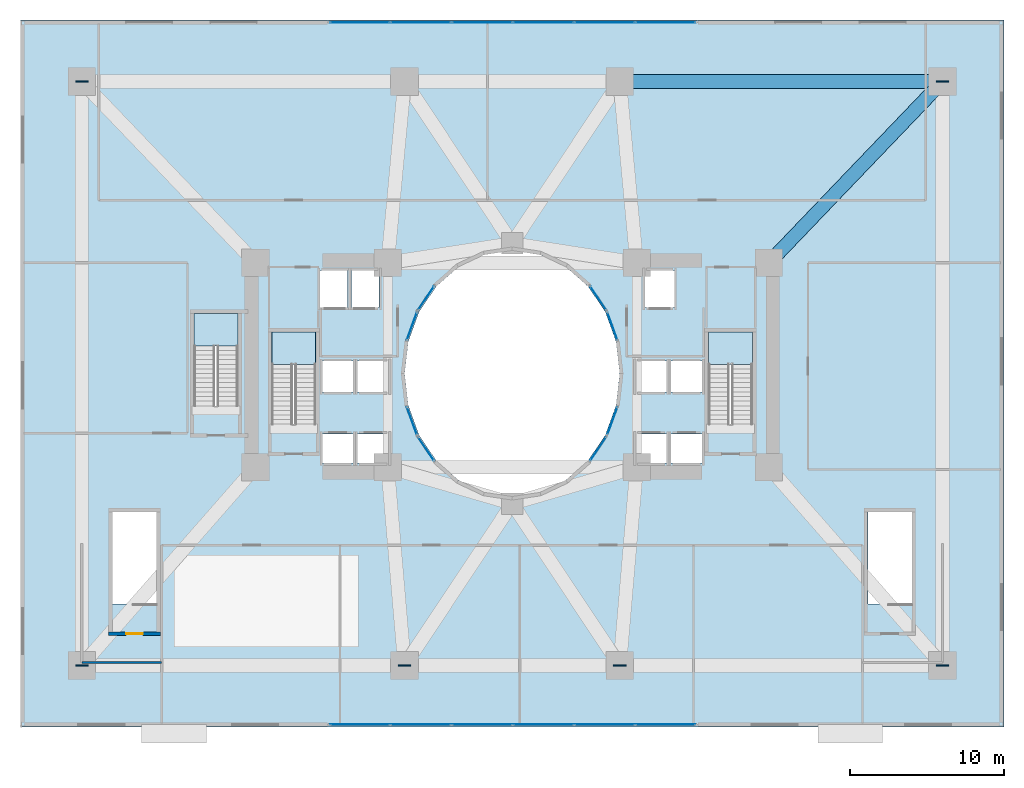
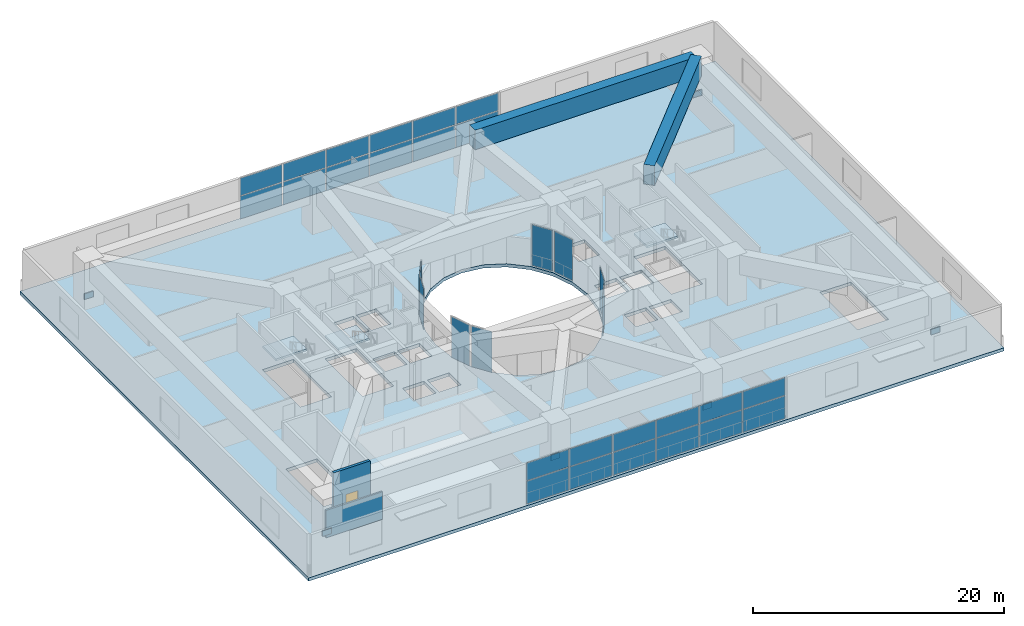
# One storey, part 17 of 27: 38 plates, 4 slabs, 2 beams, 2 walls, 1 door, 1 opening, 13 elements without a shape of their own.
"""IFC4 building model written with IfcOpenShell, lengths in metres."""

from ifc_helpers import new_model, si_unit, direction, frame, frame_2d, origin, origin_2d, place, context, subcontext, project, spatial, polyline, rectangle, outline, extrude, material, layer, layer_set, material_profile, profile_set, type_object, element, fill, aggregate, save


model = new_model("IFC4")

# Units and contexts
model_context = context("Model", 3, precision=1e-05, world=origin(), true_north=direction((0.0, 1.0)))
body_context = subcontext(model_context, "Body", "Model", "MODEL_VIEW")
ifc_project = project(units=[si_unit("LENGTHUNIT", "METRE"), si_unit("AREAUNIT", "SQUARE_METRE"), si_unit("VOLUMEUNIT", "CUBIC_METRE"), si_unit("PLANEANGLEUNIT", "RADIAN"), si_unit("MASSUNIT", "GRAM", prefix="KILO")], contexts=[model_context])

# Site, building, storey
site_placement = place(None, origin())
site = spatial("IfcSite", under=ifc_project, at=site_placement, CompositionType="ELEMENT")
building_placement = place(site_placement, origin())
building = spatial("IfcBuilding", under=site, at=building_placement, Name="Solvane Sanctuary Tower", CompositionType="ELEMENT")
storey_placement = place(building_placement, frame((0.0, 0.0, 23.0)))
storey = spatial("IfcBuildingStorey", under=building, at=storey_placement, Name="L06", CompositionType="ELEMENT", Elevation=23.0)

# Beams
ifc_material_1 = material(Name="Concrete C60/75", Category="concrete")
ifc_material_profile = material_profile(ifc_material_1, rectangle(XDim=0.89990234375, YDim=1.89990234375, at=origin_2d()), Name="RC900X1900")
ifc_profile_set = profile_set([ifc_material_profile], Name="Concrete C60/75")
beam_type = type_object("IfcBeamType", Name="Beam B-XFER-POD RC900X1900", PredefinedType="BEAM", material=ifc_profile_set)
beam_1_placement = place(storey_placement, frame((59.699951171875, 42.0, 3.64990234375), z_axis=(-1.0, 0.0, 0.0), x_axis=(0.0, -1.0, 0.0)))
element("IfcBeam", 1, at=beam_1_placement, inside=storey, type_object=beam_type, Name="L06 Podium Transfer Girder XP05", PredefinedType="BEAM", context=body_context, shape_type="SweptSolid", body=[
    extrude(rectangle(XDim=0.89990234375, YDim=1.89990234375, at=origin_2d()), origin(), (0.0, 0.0, 1.0), 20.39990234375),
])
beam_2_placement = place(storey_placement, frame((59.79248046875, 41.783203125, 3.64990234375), z_axis=(-0.69164554297, -0.722237109881, 0.0), x_axis=(0.722237109881, -0.69164554297, 0.0)))
element("IfcBeam", 2, at=beam_2_placement, inside=storey, type_object=beam_type, Name="L06 Podium Transfer Girder XP20", PredefinedType="BEAM", context=body_context, shape_type="SweptSolid", body=[
    extrude(rectangle(XDim=0.89990234375, YDim=1.89990234375, at=origin_2d()), origin(), (0.0, 0.0, 1.0), 15.73779296875),
])

# Plates
ifc_material_2 = material(Name="Steel ASTM A572 Grade 50", Category="steel")
ifc_layer_1 = layer(ifc_material_2, 0.080078125, Name="Steel ASTM A572 Grade 50")
ifc_layer_set_1 = layer_set([ifc_layer_1], Name="Steel ASTM A572 Grade 50")
plate_type_1 = type_object("IfcPlateType", Name="Plate PL-GUSSET-A", PredefinedType="USERDEFINED", material=ifc_layer_set_1)
for number, where, z_axis, x_axis, name in (
    (3, (4.0, 4.0, 0.375), (0.0, 0.0, 1.0), (1.0, 0.0, 0.0), "L06 Podium Mega-Node Gusset Plate 01"),
    (4, (25.0, 4.0, 0.375), (0.0, 0.0, 1.0), (1.0, 0.0, 0.0), "L06 Podium Mega-Node Gusset Plate 02"),
    (5, (39.0, 4.0, 0.375), (0.0, 0.0, 1.0), (1.0, 0.0, 0.0), "L06 Podium Mega-Node Gusset Plate 03"),
    (6, (60.0, 4.0, 0.375), (0.0, 0.0, 1.0), (1.0, 0.0, 0.0), "L06 Podium Mega-Node Gusset Plate 04"),
    (7, (4.0, 42.0, 0.375), (0.0, 0.0, 1.0), (1.0, 0.0, 0.0), "L06 Podium Mega-Node Gusset Plate 05"),
    (8, (60.0, 42.0, 0.375), (0.0, 0.0, 1.0), (1.0, 0.0, 0.0), "L06 Podium Mega-Node Gusset Plate 06"),
):
    element("IfcPlate", number, at=place(storey_placement, frame(where, z_axis=z_axis, x_axis=x_axis)), inside=storey, type_object=plate_type_1, Name=name, ObjectType="GUSSET PLATE", PredefinedType="USERDEFINED", context=body_context, shape_type="SweptSolid", body=[
        extrude(rectangle(XDim=0.820068359375, YDim=0.080078125, at=origin_2d()), origin(), (0.0, 0.0, 1.0), 0.550048828125),
    ])

# Curtain wall, plates
ifc_material_3 = material(Name="Anodised Aluminium 6063-T6", Category="aluminium")
ifc_layer_2 = layer(ifc_material_3, 0.159912109375, Name="Anodised Aluminium 6063-T6")
ifc_layer_set_2 = layer_set([ifc_layer_2], Name="Anodised Aluminium 6063-T6")
curtain_wall_type_1 = type_object("IfcCurtainWallType", Name="Curtain Wall CW-POD", PredefinedType="NOTDEFINED", material=ifc_layer_set_2)
curtain_wall_1_placement = place(storey_placement, origin())
curtain_wall_1 = element("IfcCurtainWall", 9, at=curtain_wall_1_placement, inside=storey, type_object=curtain_wall_type_1, Name="L06 Sanctuary Curtain Wall S2", PredefinedType="NOTDEFINED")
ifc_material_4 = material(Name="Dark Ceramic-Fritted Low-E Glass", Category="glass")
ifc_layer_3 = layer(ifc_material_4, 0.031982421875, Name="Dark Ceramic-Fritted Low-E Glass")
ifc_layer_set_3 = layer_set([ifc_layer_3], Name="Dark Ceramic-Fritted Low-E Glass")
plate_type_2 = type_object("IfcPlateType", Name="Plate PN-FRIT-VIS", PredefinedType="CURTAIN_PANEL", material=ifc_layer_set_3)
plate_1_placement = place(storey_placement, frame((22.092041015625, 0.14990234375, 0.06494140625), z_axis=(0.0, 0.0, 1.0), x_axis=(1.0, 0.0, 0.0)))
plate_1 = element("IfcPlate", 10, at=plate_1_placement, type_object=plate_type_2, Name="CW-POD panel 1.1", PredefinedType="CURTAIN_PANEL", context=body_context, shape_type="SweptSolid", body=[
    extrude(rectangle(XDim=3.874267578125, YDim=0.031982421875, at=origin_2d()), origin(), (0.0, 0.0, 1.0), 2.202392578125),
])
plate_2_placement = place(storey_placement, frame((22.092041015625, 0.14990234375, 2.33251953125), z_axis=(0.0, 0.0, 1.0), x_axis=(1.0, 0.0, 0.0)))
plate_2 = element("IfcPlate", 11, at=plate_2_placement, type_object=plate_type_2, Name="CW-POD panel 1.2", PredefinedType="CURTAIN_PANEL", context=body_context, shape_type="SweptSolid", body=[
    extrude(rectangle(XDim=3.874267578125, YDim=0.031982421875, at=origin_2d()), origin(), (0.0, 0.0, 1.0), 1.702392578125),
])
plate_3_placement = place(storey_placement, frame((26.06005859375, 0.14990234375, 0.06494140625), z_axis=(0.0, 0.0, 1.0), x_axis=(1.0, 0.0, 0.0)))
plate_3 = element("IfcPlate", 12, at=plate_3_placement, type_object=plate_type_2, Name="CW-POD panel 2.1", PredefinedType="CURTAIN_PANEL", context=body_context, shape_type="SweptSolid", body=[
    extrude(rectangle(XDim=3.91162109375, YDim=0.031982421875, at=origin_2d()), origin(), (0.0, 0.0, 1.0), 2.202392578125),
])
plate_4_placement = place(storey_placement, frame((26.06005859375, 0.14990234375, 2.33251953125), z_axis=(0.0, 0.0, 1.0), x_axis=(1.0, 0.0, 0.0)))
plate_4 = element("IfcPlate", 13, at=plate_4_placement, type_object=plate_type_2, Name="CW-POD panel 2.2", PredefinedType="CURTAIN_PANEL", context=body_context, shape_type="SweptSolid", body=[
    extrude(rectangle(XDim=3.91162109375, YDim=0.031982421875, at=origin_2d()), origin(), (0.0, 0.0, 1.0), 1.702392578125),
])
plate_5_placement = place(storey_placement, frame((30.046630859375, 0.14990234375, 0.06494140625), z_axis=(0.0, 0.0, 1.0), x_axis=(1.0, 0.0, 0.0)))
plate_5 = element("IfcPlate", 14, at=plate_5_placement, type_object=plate_type_2, Name="CW-POD panel 3.1", PredefinedType="CURTAIN_PANEL", context=body_context, shape_type="SweptSolid", body=[
    extrude(rectangle(XDim=3.91162109375, YDim=0.031982421875, at=origin_2d()), origin(), (0.0, 0.0, 1.0), 2.202392578125),
])
plate_6_placement = place(storey_placement, frame((30.046630859375, 0.14990234375, 2.33251953125), z_axis=(0.0, 0.0, 1.0), x_axis=(1.0, 0.0, 0.0)))
plate_6 = element("IfcPlate", 15, at=plate_6_placement, type_object=plate_type_2, Name="CW-POD panel 3.2", PredefinedType="CURTAIN_PANEL", context=body_context, shape_type="SweptSolid", body=[
    extrude(rectangle(XDim=3.91162109375, YDim=0.031982421875, at=origin_2d()), origin(), (0.0, 0.0, 1.0), 1.702392578125),
])
plate_7_placement = place(storey_placement, frame((34.033447265625, 0.14990234375, 0.06494140625), z_axis=(0.0, 0.0, 1.0), x_axis=(1.0, 0.0, 0.0)))
plate_7 = element("IfcPlate", 16, at=plate_7_placement, type_object=plate_type_2, Name="CW-POD panel 4.1", PredefinedType="CURTAIN_PANEL", context=body_context, shape_type="SweptSolid", body=[
    extrude(rectangle(XDim=3.91162109375, YDim=0.031982421875, at=origin_2d()), origin(), (0.0, 0.0, 1.0), 2.202392578125),
])
plate_8_placement = place(storey_placement, frame((34.033447265625, 0.14990234375, 2.33251953125), z_axis=(0.0, 0.0, 1.0), x_axis=(1.0, 0.0, 0.0)))
plate_8 = element("IfcPlate", 17, at=plate_8_placement, type_object=plate_type_2, Name="CW-POD panel 4.2", PredefinedType="CURTAIN_PANEL", context=body_context, shape_type="SweptSolid", body=[
    extrude(rectangle(XDim=3.91162109375, YDim=0.031982421875, at=origin_2d()), origin(), (0.0, 0.0, 1.0), 1.702392578125),
])
plate_9_placement = place(storey_placement, frame((38.02001953125, 0.14990234375, 0.06494140625), z_axis=(0.0, 0.0, 1.0), x_axis=(1.0, 0.0, 0.0)))
plate_9 = element("IfcPlate", 18, at=plate_9_placement, type_object=plate_type_2, Name="CW-POD panel 5.1", PredefinedType="CURTAIN_PANEL", context=body_context, shape_type="SweptSolid", body=[
    extrude(rectangle(XDim=3.91162109375, YDim=0.031982421875, at=origin_2d()), origin(), (0.0, 0.0, 1.0), 2.202392578125),
])
plate_10_placement = place(storey_placement, frame((38.02001953125, 0.14990234375, 2.33251953125), z_axis=(0.0, 0.0, 1.0), x_axis=(1.0, 0.0, 0.0)))
plate_10 = element("IfcPlate", 19, at=plate_10_placement, type_object=plate_type_2, Name="CW-POD panel 5.2", PredefinedType="CURTAIN_PANEL", context=body_context, shape_type="SweptSolid", body=[
    extrude(rectangle(XDim=3.91162109375, YDim=0.031982421875, at=origin_2d()), origin(), (0.0, 0.0, 1.0), 1.702392578125),
])
plate_11_placement = place(storey_placement, frame((41.988037109375, 0.14990234375, 0.06494140625), z_axis=(0.0, 0.0, 1.0), x_axis=(1.0, 0.0, 0.0)))
plate_11 = element("IfcPlate", 20, at=plate_11_placement, type_object=plate_type_2, Name="CW-POD panel 6.1", PredefinedType="CURTAIN_PANEL", context=body_context, shape_type="SweptSolid", body=[
    extrude(rectangle(XDim=3.874267578125, YDim=0.031982421875, at=origin_2d()), origin(), (0.0, 0.0, 1.0), 2.202392578125),
])
plate_12_placement = place(storey_placement, frame((41.988037109375, 0.14990234375, 2.33251953125), z_axis=(0.0, 0.0, 1.0), x_axis=(1.0, 0.0, 0.0)))
plate_12 = element("IfcPlate", 21, at=plate_12_placement, type_object=plate_type_2, Name="CW-POD panel 6.2", PredefinedType="CURTAIN_PANEL", context=body_context, shape_type="SweptSolid", body=[
    extrude(rectangle(XDim=3.874267578125, YDim=0.031982421875, at=origin_2d()), origin(), (0.0, 0.0, 1.0), 1.702392578125),
])
aggregate(curtain_wall_1, [plate_1, plate_2, plate_3, plate_4, plate_5, plate_6, plate_7, plate_8, plate_9, plate_10, plate_11, plate_12])

curtain_wall_2_placement = place(storey_placement, origin())
curtain_wall_2 = element("IfcCurtainWall", 22, at=curtain_wall_2_placement, inside=storey, type_object=curtain_wall_type_1, Name="L06 Sanctuary Curtain Wall N2", PredefinedType="NOTDEFINED")
plate_13_placement = place(storey_placement, frame((41.988037109375, 45.85009765625, 0.06494140625), z_axis=(0.0, 0.0, 1.0), x_axis=(-1.0, 0.0, 0.0)))
plate_13 = element("IfcPlate", 23, at=plate_13_placement, type_object=plate_type_2, Name="CW-POD panel 1.1", PredefinedType="CURTAIN_PANEL", context=body_context, shape_type="SweptSolid", body=[
    extrude(rectangle(XDim=3.874267578125, YDim=0.031982421875, at=origin_2d()), origin(), (0.0, 0.0, 1.0), 2.202392578125),
])
plate_14_placement = place(storey_placement, frame((41.988037109375, 45.85009765625, 2.33251953125), z_axis=(0.0, 0.0, 1.0), x_axis=(-1.0, 0.0, 0.0)))
plate_14 = element("IfcPlate", 24, at=plate_14_placement, type_object=plate_type_2, Name="CW-POD panel 1.2", PredefinedType="CURTAIN_PANEL", context=body_context, shape_type="SweptSolid", body=[
    extrude(rectangle(XDim=3.874267578125, YDim=0.031982421875, at=origin_2d()), origin(), (0.0, 0.0, 1.0), 1.702392578125),
])
plate_15_placement = place(storey_placement, frame((38.02001953125, 45.85009765625, 0.06494140625), z_axis=(0.0, 0.0, 1.0), x_axis=(-1.0, 0.0, 0.0)))
plate_15 = element("IfcPlate", 25, at=plate_15_placement, type_object=plate_type_2, Name="CW-POD panel 2.1", PredefinedType="CURTAIN_PANEL", context=body_context, shape_type="SweptSolid", body=[
    extrude(rectangle(XDim=3.91162109375, YDim=0.031982421875, at=origin_2d()), origin(), (0.0, 0.0, 1.0), 2.202392578125),
])
plate_16_placement = place(storey_placement, frame((38.02001953125, 45.85009765625, 2.33251953125), z_axis=(0.0, 0.0, 1.0), x_axis=(-1.0, 0.0, 0.0)))
plate_16 = element("IfcPlate", 26, at=plate_16_placement, type_object=plate_type_2, Name="CW-POD panel 2.2", PredefinedType="CURTAIN_PANEL", context=body_context, shape_type="SweptSolid", body=[
    extrude(rectangle(XDim=3.91162109375, YDim=0.031982421875, at=origin_2d()), origin(), (0.0, 0.0, 1.0), 1.702392578125),
])
plate_17_placement = place(storey_placement, frame((34.033447265625, 45.85009765625, 0.06494140625), z_axis=(0.0, 0.0, 1.0), x_axis=(-1.0, 0.0, 0.0)))
plate_17 = element("IfcPlate", 27, at=plate_17_placement, type_object=plate_type_2, Name="CW-POD panel 3.1", PredefinedType="CURTAIN_PANEL", context=body_context, shape_type="SweptSolid", body=[
    extrude(rectangle(XDim=3.91162109375, YDim=0.031982421875, at=origin_2d()), origin(), (0.0, 0.0, 1.0), 2.202392578125),
])
plate_18_placement = place(storey_placement, frame((34.033447265625, 45.85009765625, 2.33251953125), z_axis=(0.0, 0.0, 1.0), x_axis=(-1.0, 0.0, 0.0)))
plate_18 = element("IfcPlate", 28, at=plate_18_placement, type_object=plate_type_2, Name="CW-POD panel 3.2", PredefinedType="CURTAIN_PANEL", context=body_context, shape_type="SweptSolid", body=[
    extrude(rectangle(XDim=3.91162109375, YDim=0.031982421875, at=origin_2d()), origin(), (0.0, 0.0, 1.0), 1.702392578125),
])
plate_19_placement = place(storey_placement, frame((30.046630859375, 45.85009765625, 0.06494140625), z_axis=(0.0, 0.0, 1.0), x_axis=(-1.0, 0.0, 0.0)))
plate_19 = element("IfcPlate", 29, at=plate_19_placement, type_object=plate_type_2, Name="CW-POD panel 4.1", PredefinedType="CURTAIN_PANEL", context=body_context, shape_type="SweptSolid", body=[
    extrude(rectangle(XDim=3.91162109375, YDim=0.031982421875, at=origin_2d()), origin(), (0.0, 0.0, 1.0), 2.202392578125),
])
plate_20_placement = place(storey_placement, frame((30.046630859375, 45.85009765625, 2.33251953125), z_axis=(0.0, 0.0, 1.0), x_axis=(-1.0, 0.0, 0.0)))
plate_20 = element("IfcPlate", 30, at=plate_20_placement, type_object=plate_type_2, Name="CW-POD panel 4.2", PredefinedType="CURTAIN_PANEL", context=body_context, shape_type="SweptSolid", body=[
    extrude(rectangle(XDim=3.91162109375, YDim=0.031982421875, at=origin_2d()), origin(), (0.0, 0.0, 1.0), 1.702392578125),
])
plate_21_placement = place(storey_placement, frame((26.06005859375, 45.85009765625, 0.06494140625), z_axis=(0.0, 0.0, 1.0), x_axis=(-1.0, 0.0, 0.0)))
plate_21 = element("IfcPlate", 31, at=plate_21_placement, type_object=plate_type_2, Name="CW-POD panel 5.1", PredefinedType="CURTAIN_PANEL", context=body_context, shape_type="SweptSolid", body=[
    extrude(rectangle(XDim=3.91162109375, YDim=0.031982421875, at=origin_2d()), origin(), (0.0, 0.0, 1.0), 2.202392578125),
])
plate_22_placement = place(storey_placement, frame((26.06005859375, 45.85009765625, 2.33251953125), z_axis=(0.0, 0.0, 1.0), x_axis=(-1.0, 0.0, 0.0)))
plate_22 = element("IfcPlate", 32, at=plate_22_placement, type_object=plate_type_2, Name="CW-POD panel 5.2", PredefinedType="CURTAIN_PANEL", context=body_context, shape_type="SweptSolid", body=[
    extrude(rectangle(XDim=3.91162109375, YDim=0.031982421875, at=origin_2d()), origin(), (0.0, 0.0, 1.0), 1.702392578125),
])
plate_23_placement = place(storey_placement, frame((22.092041015625, 45.85009765625, 0.06494140625), z_axis=(0.0, 0.0, 1.0), x_axis=(-1.0, 0.0, 0.0)))
plate_23 = element("IfcPlate", 33, at=plate_23_placement, type_object=plate_type_2, Name="CW-POD panel 6.1", PredefinedType="CURTAIN_PANEL", context=body_context, shape_type="SweptSolid", body=[
    extrude(rectangle(XDim=3.874267578125, YDim=0.031982421875, at=origin_2d()), origin(), (0.0, 0.0, 1.0), 2.202392578125),
])
plate_24_placement = place(storey_placement, frame((22.092041015625, 45.85009765625, 2.33251953125), z_axis=(0.0, 0.0, 1.0), x_axis=(-1.0, 0.0, 0.0)))
plate_24 = element("IfcPlate", 34, at=plate_24_placement, type_object=plate_type_2, Name="CW-POD panel 6.2", PredefinedType="CURTAIN_PANEL", context=body_context, shape_type="SweptSolid", body=[
    extrude(rectangle(XDim=3.874267578125, YDim=0.031982421875, at=origin_2d()), origin(), (0.0, 0.0, 1.0), 1.702392578125),
])
aggregate(curtain_wall_2, [plate_13, plate_14, plate_15, plate_16, plate_17, plate_18, plate_19, plate_20, plate_21, plate_22, plate_23, plate_24])

# Curtain wall, plate
ifc_layer_4 = layer(ifc_material_3, 0.199951171875, Name="Anodised Aluminium 6063-T6")
ifc_layer_set_4 = layer_set([ifc_layer_4], Name="Anodised Aluminium 6063-T6")
curtain_wall_type_2 = type_object("IfcCurtainWallType", Name="Curtain Wall CW-WELL", PredefinedType="NOTDEFINED", material=ifc_layer_set_4)
curtain_wall_3_placement = place(storey_placement, origin())
curtain_wall_3 = element("IfcCurtainWall", 35, at=curtain_wall_3_placement, inside=storey, type_object=curtain_wall_type_2, Name="L06 Light-Well Curtain Wall 01", PredefinedType="NOTDEFINED")
ifc_material_5 = material(Name="Clear Laminated Light-Well Glass", Category="glass")
ifc_layer_5 = layer(ifc_material_5, 0.02392578125, Name="Clear Laminated Light-Well Glass")
ifc_layer_set_5 = layer_set([ifc_layer_5], Name="Clear Laminated Light-Well Glass")
plate_type_3 = type_object("IfcPlateType", Name="Plate PN-WELL-GLZ", PredefinedType="CURTAIN_PANEL", material=ifc_layer_set_5)
plate_25_placement = place(storey_placement, frame((38.521728515625, 26.080810546875, 0.06494140625), z_axis=(0.0, 0.0, 1.0), x_axis=(-0.341346289067, 0.939937610132, 0.0)))
plate_25 = element("IfcPlate", 36, at=plate_25_placement, type_object=plate_type_3, Name="CW-WELL panel 1.1", PredefinedType="CURTAIN_PANEL", context=body_context, shape_type="SweptSolid", body=[
    extrude(rectangle(XDim=1.87353515625, YDim=0.02392578125, at=origin_2d()), origin(), (0.0, 0.0, 1.0), 3.969970703125),
])
aggregate(curtain_wall_3, [plate_25])

curtain_wall_4_placement = place(storey_placement, origin())
curtain_wall_4 = element("IfcCurtainWall", 37, at=curtain_wall_4_placement, inside=storey, type_object=curtain_wall_type_2, Name="L06 Light-Well Curtain Wall 02", PredefinedType="NOTDEFINED")
plate_26_placement = place(storey_placement, frame((37.600341796875, 27.90087890625, 0.06494140625), z_axis=(0.0, 0.0, 1.0), x_axis=(-0.558262839559, 0.829664150104, 0.0)))
plate_26 = element("IfcPlate", 38, at=plate_26_placement, type_object=plate_type_3, Name="CW-WELL panel 1.1", PredefinedType="CURTAIN_PANEL", context=body_context, shape_type="SweptSolid", body=[
    extrude(rectangle(XDim=1.81689453125, YDim=0.02392578125, at=origin_2d()), origin(), (0.0, 0.0, 1.0), 3.969970703125),
])
aggregate(curtain_wall_4, [plate_26])

curtain_wall_5_placement = place(storey_placement, origin())
curtain_wall_5 = element("IfcCurtainWall", 39, at=curtain_wall_5_placement, inside=storey, type_object=curtain_wall_type_2, Name="L06 Light-Well Curtain Wall 09", PredefinedType="NOTDEFINED")
plate_27_placement = place(storey_placement, frame((26.399658203125, 27.90087890625, 0.06494140625), z_axis=(0.0, 0.0, 1.0), x_axis=(-0.558262839559, -0.829664150104, 0.0)))
plate_27 = element("IfcPlate", 40, at=plate_27_placement, type_object=plate_type_3, Name="CW-WELL panel 1.1", PredefinedType="CURTAIN_PANEL", context=body_context, shape_type="SweptSolid", body=[
    extrude(rectangle(XDim=1.81689453125, YDim=0.02392578125, at=origin_2d()), origin(), (0.0, 0.0, 1.0), 3.969970703125),
])
aggregate(curtain_wall_5, [plate_27])

curtain_wall_6_placement = place(storey_placement, origin())
curtain_wall_6 = element("IfcCurtainWall", 41, at=curtain_wall_6_placement, inside=storey, type_object=curtain_wall_type_2, Name="L06 Light-Well Curtain Wall 10", PredefinedType="NOTDEFINED")
plate_28_placement = place(storey_placement, frame((25.478271484375, 26.080810546875, 0.06494140625), z_axis=(0.0, 0.0, 1.0), x_axis=(-0.341346289067, -0.939937610132, 0.0)))
plate_28 = element("IfcPlate", 42, at=plate_28_placement, type_object=plate_type_3, Name="CW-WELL panel 1.1", PredefinedType="CURTAIN_PANEL", context=body_context, shape_type="SweptSolid", body=[
    extrude(rectangle(XDim=1.87353515625, YDim=0.02392578125, at=origin_2d()), origin(), (0.0, 0.0, 1.0), 3.969970703125),
])
aggregate(curtain_wall_6, [plate_28])

curtain_wall_7_placement = place(storey_placement, origin())
curtain_wall_7 = element("IfcCurtainWall", 43, at=curtain_wall_7_placement, inside=storey, type_object=curtain_wall_type_2, Name="L06 Light-Well Curtain Wall 13", PredefinedType="NOTDEFINED")
plate_29_placement = place(storey_placement, frame((25.478271484375, 19.919189453125, 0.06494140625), z_axis=(0.0, 0.0, 1.0), x_axis=(0.341346289067, -0.939937610132, 0.0)))
plate_29 = element("IfcPlate", 44, at=plate_29_placement, type_object=plate_type_3, Name="CW-WELL panel 1.1", PredefinedType="CURTAIN_PANEL", context=body_context, shape_type="SweptSolid", body=[
    extrude(rectangle(XDim=1.87353515625, YDim=0.02392578125, at=origin_2d()), origin(), (0.0, 0.0, 1.0), 3.969970703125),
])
aggregate(curtain_wall_7, [plate_29])

curtain_wall_8_placement = place(storey_placement, origin())
curtain_wall_8 = element("IfcCurtainWall", 45, at=curtain_wall_8_placement, inside=storey, type_object=curtain_wall_type_2, Name="L06 Light-Well Curtain Wall 14", PredefinedType="NOTDEFINED")
plate_30_placement = place(storey_placement, frame((26.399658203125, 18.09912109375, 0.06494140625), z_axis=(0.0, 0.0, 1.0), x_axis=(0.558262839559, -0.829664150104, 0.0)))
plate_30 = element("IfcPlate", 46, at=plate_30_placement, type_object=plate_type_3, Name="CW-WELL panel 1.1", PredefinedType="CURTAIN_PANEL", context=body_context, shape_type="SweptSolid", body=[
    extrude(rectangle(XDim=1.81689453125, YDim=0.02392578125, at=origin_2d()), origin(), (0.0, 0.0, 1.0), 3.969970703125),
])
aggregate(curtain_wall_8, [plate_30])

curtain_wall_9_placement = place(storey_placement, origin())
curtain_wall_9 = element("IfcCurtainWall", 47, at=curtain_wall_9_placement, inside=storey, type_object=curtain_wall_type_2, Name="L06 Light-Well Curtain Wall 21", PredefinedType="NOTDEFINED")
plate_31_placement = place(storey_placement, frame((37.600341796875, 18.09912109375, 0.06494140625), z_axis=(0.0, 0.0, 1.0), x_axis=(0.558262839559, 0.829664150104, 0.0)))
plate_31 = element("IfcPlate", 48, at=plate_31_placement, type_object=plate_type_3, Name="CW-WELL panel 1.1", PredefinedType="CURTAIN_PANEL", context=body_context, shape_type="SweptSolid", body=[
    extrude(rectangle(XDim=1.81689453125, YDim=0.02392578125, at=origin_2d()), origin(), (0.0, 0.0, 1.0), 3.969970703125),
])
aggregate(curtain_wall_9, [plate_31])

curtain_wall_10_placement = place(storey_placement, origin())
curtain_wall_10 = element("IfcCurtainWall", 49, at=curtain_wall_10_placement, inside=storey, type_object=curtain_wall_type_2, Name="L06 Light-Well Curtain Wall 22", PredefinedType="NOTDEFINED")
plate_32_placement = place(storey_placement, frame((38.521728515625, 19.919189453125, 0.06494140625), z_axis=(0.0, 0.0, 1.0), x_axis=(0.341346289067, 0.939937610132, 0.0)))
plate_32 = element("IfcPlate", 50, at=plate_32_placement, type_object=plate_type_3, Name="CW-WELL panel 1.1", PredefinedType="CURTAIN_PANEL", context=body_context, shape_type="SweptSolid", body=[
    extrude(rectangle(XDim=1.87353515625, YDim=0.02392578125, at=origin_2d()), origin(), (0.0, 0.0, 1.0), 3.969970703125),
])
aggregate(curtain_wall_10, [plate_32])

# Stair, slab
ifc_material_6 = material(Name="Concrete C45/55", Category="concrete")
stair_type = type_object("IfcStairType", Name="Stair ST-TOW", PredefinedType="HALF_TURN_STAIR", material=ifc_material_6)
stair_1_placement = place(storey_placement, origin())
stair_1 = element("IfcStair", 51, at=stair_1_placement, inside=storey, type_object=stair_type, Name="L06 Exit Stair ST-1 West Core", PredefinedType="HALF_TURN_STAIR")
ifc_layer_6 = layer(ifc_material_6, 0.199951171875, Name="Concrete C45/55")
ifc_layer_set_6 = layer_set([ifc_layer_6], Name="Concrete C45/55")
slab_type_1 = type_object("IfcSlabType", Name="Slab SL-LAND-180", PredefinedType="LANDING", material=ifc_layer_set_6)
slab_1_placement = place(storey_placement, frame((0.0, 0.0, 2.10009765625)))
slab_1 = element("IfcSlab", 52, at=slab_1_placement, type_object=slab_type_1, Name="ST-1 landing 1", PredefinedType="LANDING", context=body_context, shape_type="SweptSolid", body=[
    extrude(outline(polyline([(19.219970703125, 23.60009765625), (19.219970703125, 25.699951171875), (16.360107421875, 25.699951171875), (16.360107421875, 23.60009765625), (19.219970703125, 23.60009765625)])), origin(), (0.0, 0.0, 1.0), 0.199951171875),
])
aggregate(stair_1, [slab_1])

stair_2_placement = place(storey_placement, origin())
stair_2 = element("IfcStair", 53, at=stair_2_placement, inside=storey, type_object=stair_type, Name="L06 Exit Stair ST-2 East Core", PredefinedType="HALF_TURN_STAIR")
slab_2_placement = place(storey_placement, frame((0.0, 0.0, 2.10009765625)))
slab_2 = element("IfcSlab", 54, at=slab_2_placement, type_object=slab_type_1, Name="ST-2 landing 1", PredefinedType="LANDING", context=body_context, shape_type="SweptSolid", body=[
    extrude(outline(polyline([(47.639892578125, 23.60009765625), (47.639892578125, 25.699951171875), (44.780029296875, 25.699951171875), (44.780029296875, 23.60009765625), (47.639892578125, 23.60009765625)])), origin(), (0.0, 0.0, 1.0), 0.199951171875),
])
aggregate(stair_2, [slab_2])

stair_3_placement = place(storey_placement, origin())
stair_3 = element("IfcStair", 55, at=stair_3_placement, inside=storey, type_object=stair_type, Name="L06 Exit Stair ST-3 Pilgrim Tower Stair", PredefinedType="HALF_TURN_STAIR")
slab_3_placement = place(storey_placement, frame((0.0, 0.0, 2.10009765625)))
slab_3 = element("IfcSlab", 56, at=slab_3_placement, type_object=slab_type_1, Name="ST-3 landing 1", PredefinedType="LANDING", context=body_context, shape_type="SweptSolid", body=[
    extrude(outline(polyline([(14.159912109375, 24.800048828125), (14.159912109375, 26.89990234375), (11.300048828125, 26.89990234375), (11.300048828125, 24.800048828125), (14.159912109375, 24.800048828125)])), origin(), (0.0, 0.0, 1.0), 0.199951171875),
])
aggregate(stair_3, [slab_3])

# Slab
ifc_material_7 = material(Name="Concrete C50/60", Category="concrete")
ifc_layer_7 = layer(ifc_material_7, 0.320068359375, Name="Concrete C50/60")
ifc_layer_set_7 = layer_set([ifc_layer_7], Name="Concrete C50/60")
slab_type_2 = type_object("IfcSlabType", Name="Slab SL-POD-300", PredefinedType="FLOOR", material=ifc_layer_set_7)
slab_4_placement = place(storey_placement, frame((0.0, 0.0, -0.320068359375)))
element("IfcSlab", 57, at=slab_4_placement, inside=storey, type_object=slab_type_2, Name="L06 Primary Structural Slab", PredefinedType="FLOOR", context=body_context, shape_type="SweptSolid", body=[
    extrude(outline(polyline([(0.0, 0.0), (64.0, 0.0), (64.0, 46.0), (0.0, 46.0), (0.0, 0.0)]), holes=[polyline([(38.761474609375, 20.929443359375), (38.062255859375, 19.0), (36.94970703125, 17.343017578125), (35.5, 16.07177734375), (33.811767578125, 15.272705078125), (32.0, 15.0), (30.188232421875, 15.272705078125), (28.5, 16.07177734375), (27.05029296875, 17.343017578125), (25.937744140625, 19.0), (25.238525390625, 20.929443359375), (25.0, 23.0), (25.238525390625, 25.070556640625), (25.937744140625, 27.0), (27.05029296875, 28.656982421875), (28.5, 29.92822265625), (30.188232421875, 30.727294921875), (32.0, 31.0), (33.811767578125, 30.727294921875), (35.5, 29.92822265625), (36.94970703125, 28.656982421875), (38.062255859375, 27.0), (38.761474609375, 25.070556640625), (39.0, 23.0), (38.761474609375, 20.929443359375)]), polyline([(16.360107421875, 19.699951171875), (16.360107421875, 25.699951171875), (19.219970703125, 25.699951171875), (19.219970703125, 19.699951171875), (16.360107421875, 19.699951171875)]), polyline([(44.780029296875, 19.699951171875), (44.780029296875, 25.699951171875), (47.639892578125, 25.699951171875), (47.639892578125, 19.699951171875), (44.780029296875, 19.699951171875)]), polyline([(11.300048828125, 20.89990234375), (11.300048828125, 26.89990234375), (14.159912109375, 26.89990234375), (14.159912109375, 20.89990234375), (11.300048828125, 20.89990234375)]), polyline([(6.0, 8.0), (6.0, 14.0), (8.860107421875, 14.0), (8.860107421875, 8.0), (6.0, 8.0)]), polyline([(55.139892578125, 8.0), (55.139892578125, 14.0), (58.0, 14.0), (58.0, 8.0), (55.139892578125, 8.0)]), polyline([(19.64990234375, 19.080078125), (21.64990234375, 19.080078125), (21.64990234375, 17.179931640625), (19.64990234375, 17.179931640625), (19.64990234375, 19.080078125)]), polyline([(21.949951171875, 19.080078125), (23.949951171875, 19.080078125), (23.949951171875, 17.179931640625), (21.949951171875, 17.179931640625), (21.949951171875, 19.080078125)]), polyline([(40.050048828125, 19.080078125), (42.050048828125, 19.080078125), (42.050048828125, 17.179931640625), (40.050048828125, 17.179931640625), (40.050048828125, 19.080078125)]), polyline([(42.35009765625, 19.080078125), (44.35009765625, 19.080078125), (44.35009765625, 17.179931640625), (42.35009765625, 17.179931640625), (42.35009765625, 19.080078125)]), polyline([(19.64990234375, 23.800048828125), (21.64990234375, 23.800048828125), (21.64990234375, 21.800048828125), (19.64990234375, 21.800048828125), (19.64990234375, 23.800048828125)]), polyline([(42.35009765625, 23.800048828125), (44.35009765625, 23.800048828125), (44.35009765625, 21.800048828125), (42.35009765625, 21.800048828125), (42.35009765625, 23.800048828125)]), polyline([(21.949951171875, 23.800048828125), (23.949951171875, 23.800048828125), (23.949951171875, 21.800048828125), (21.949951171875, 21.800048828125), (21.949951171875, 23.800048828125)]), polyline([(40.050048828125, 23.800048828125), (42.050048828125, 23.800048828125), (42.050048828125, 21.800048828125), (40.050048828125, 21.800048828125), (40.050048828125, 23.800048828125)]), polyline([(19.5, 29.699951171875), (21.300048828125, 29.699951171875), (21.300048828125, 27.300048828125), (19.5, 27.300048828125), (19.5, 29.699951171875)]), polyline([(21.550048828125, 29.699951171875), (23.35009765625, 29.699951171875), (23.35009765625, 27.300048828125), (21.550048828125, 27.300048828125), (21.550048828125, 29.699951171875)]), polyline([(40.64990234375, 29.699951171875), (42.550048828125, 29.699951171875), (42.550048828125, 27.300048828125), (40.64990234375, 27.300048828125), (40.64990234375, 29.699951171875)])]), origin(), (0.0, 0.0, 1.0), 0.320068359375),
])

# Wall
ifc_material_8 = material(Name="Acoustic Gypsum Partition Board")
ifc_layer_8 = layer(ifc_material_8, 0.14990234375, Name="Acoustic Gypsum Partition Board")
ifc_layer_set_8 = layer_set([ifc_layer_8], Name="Acoustic Gypsum Partition Board")
wall_type_1 = type_object("IfcWallType", Name="Wall W-CORR-150", PredefinedType="PARTITIONING", material=ifc_layer_set_8)
wall_1_placement = place(storey_placement, frame((4.0, 4.199951171875, 0.0), z_axis=(0.0, 0.0, 1.0), x_axis=(1.0, 0.0, 0.0)))
element("IfcWall", 58, at=wall_1_placement, inside=storey, type_object=wall_type_1, Name="L06 ST-4 Lobby South Wall", PredefinedType="PARTITIONING", context=body_context, shape_type="SweptSolid", body=[
    extrude(rectangle(XDim=5.199951171875, YDim=0.14990234375, at=frame_2d((2.60009765625, 0.0))), origin(), (0.0, 0.0, 1.0), 2.669921875),
])

# Wall, opening, door
ifc_layer_9 = layer(ifc_material_7, 0.25, Name="Concrete C50/60")
ifc_layer_set_9 = layer_set([ifc_layer_9], Name="Concrete C50/60")
wall_type_2 = type_object("IfcWallType", Name="Wall W-SHAFT-250", PredefinedType="SOLIDWALL", material=ifc_layer_set_9)
wall_2_placement = place(storey_placement, frame((5.7451171875, 6.070068359375, 0.0), z_axis=(0.0, 0.0, 1.0), x_axis=(1.0, 0.0, 0.0)))
wall_2 = element("IfcWall", 59, at=wall_2_placement, inside=storey, type_object=wall_type_2, Name="L06 ST-4 Load-Bearing Shaft Wall S", PredefinedType="SOLIDWALL", context=body_context, shape_type="SweptSolid", body=[
    extrude(rectangle(XDim=3.369873046875, YDim=0.25, at=frame_2d((1.68505859375, 0.0))), origin(), (0.0, 0.0, 1.0), 4.60009765625),
])
opening_placement = place(wall_2_placement, frame((1.135009765625, 0.0, 0.0)))
opening = element("IfcOpeningElement", 60, at=opening_placement, cuts=wall_2, Name="Opening D-L06-04", PredefinedType="OPENING", context=body_context, shape_type="SweptSolid", body=[
    extrude(rectangle(XDim=1.10009765625, YDim=2.10009765625, at=frame_2d((0.550048828125, 1.050048828125))), frame((0.0, 0.135009765625, 0.0), z_axis=(0.0, -1.0, 0.0), x_axis=(1.0, 0.0, 0.0)), (0.0, 0.0, 1.0), 0.27001953125),
])
ifc_material_9 = material(Name="Architectural Stainless Steel 316", Category="steel")
door_type = type_object("IfcDoorType", Name="Door D-STAIR", OperationType="NOTDEFINED", PredefinedType="DOOR", material=ifc_material_9)
door_placement = place(opening_placement, origin())
door = element("IfcDoor", 61, at=door_placement, inside=storey, type_object=door_type, Name="L06 ST-4 Exit Stair Fire Door", OperationType="SINGLE_SWING_LEFT", OverallHeight=2.10009765625, OverallWidth=1.10009765625, PredefinedType="DOOR", context=body_context, shape_type="SweptSolid", body=[
    extrude(rectangle(XDim=1.10009765625, YDim=2.10009765625, at=frame_2d((0.550048828125, 1.050048828125))), frame((0.0, 0.02490234375, 0.0), z_axis=(0.0, -1.0, 0.0), x_axis=(1.0, 0.0, 0.0)), (0.0, 0.0, 1.0), 0.050048828125),
])
fill(opening, door)

save(model, "model.ifc")
